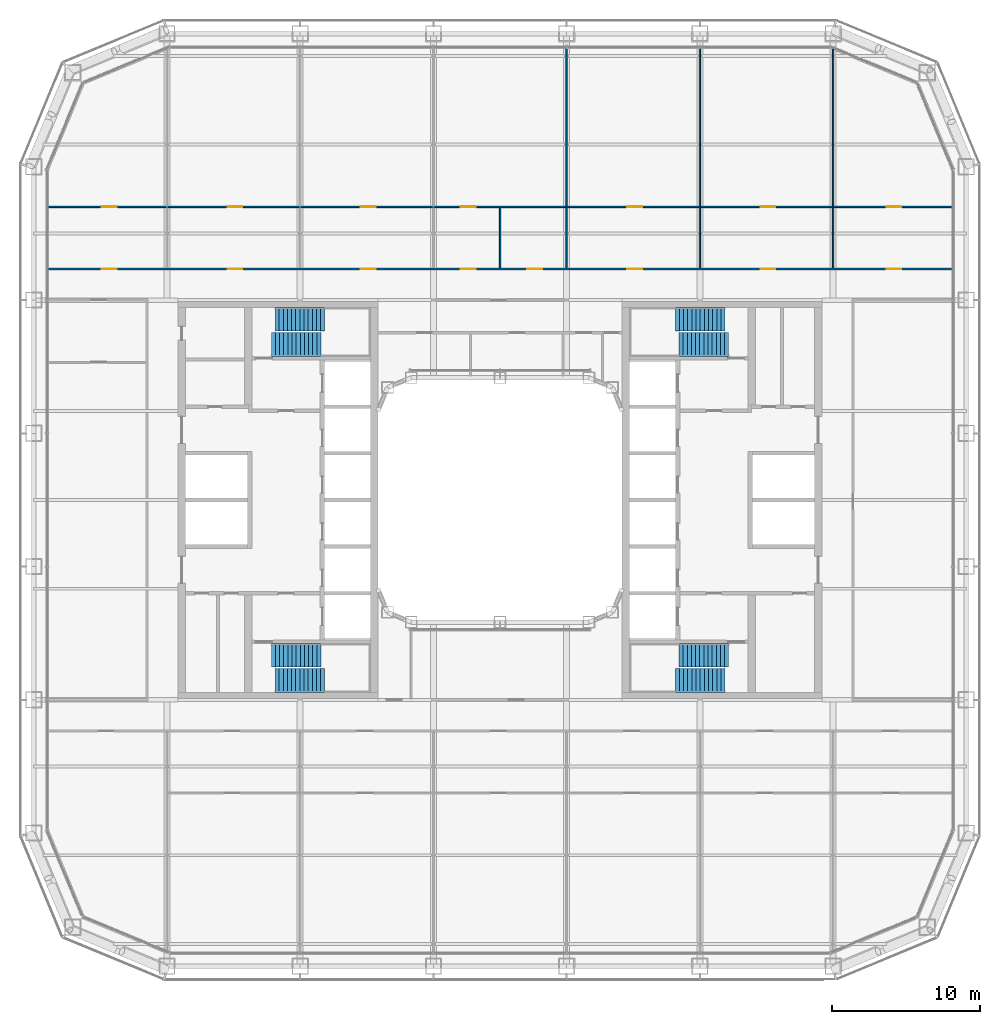
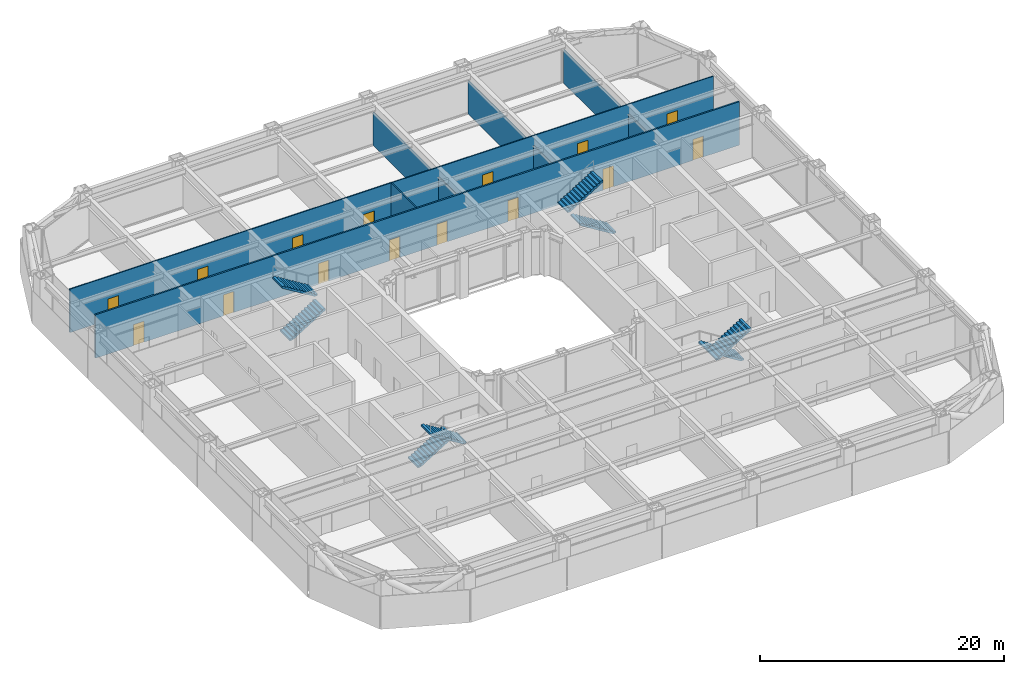
# One storey, part 15 of 24: 15 doors, 9 walls, 8 stair flights, 15 openings, 4 elements without a shape of their own.
"""IFC4 building model written with IfcOpenShell, lengths in metres."""

from ifc_helpers import new_model, si_unit, direction, frame, frame_2d, origin, place, context, subcontext, project, spatial, polyline, rectangle, outline, extrude, material, layer, layer_set, type_object, element, fill, aggregate, save


model = new_model("IFC4")

# Units and contexts
model_context = context("Model", 3, precision=1e-05, world=origin(), true_north=direction((0.0, 1.0)))
body_context = subcontext(model_context, "Body", "Model", "MODEL_VIEW")
ifc_project = project(units=[si_unit("LENGTHUNIT", "METRE"), si_unit("AREAUNIT", "SQUARE_METRE"), si_unit("VOLUMEUNIT", "CUBIC_METRE"), si_unit("PLANEANGLEUNIT", "RADIAN"), si_unit("MASSUNIT", "GRAM", prefix="KILO")], contexts=[model_context])

# Site, building, storey
site_placement = place(None, origin())
site = spatial("IfcSite", under=ifc_project, at=site_placement, CompositionType="ELEMENT")
building_placement = place(site_placement, origin())
building = spatial("IfcBuilding", under=site, at=building_placement, Name="Siwar Civic Tower", CompositionType="ELEMENT")
storey_placement = place(building_placement, frame((0.0, 0.0, 22.199951171875)))
storey = spatial("IfcBuildingStorey", under=building, at=storey_placement, Name="L04", CompositionType="ELEMENT", Elevation=22.199951171875)

# Wall, openings, doors
ifc_material_1 = material(Name="Gypsum board on steel studs", Category="steel")
ifc_layer_1 = layer(ifc_material_1, 0.14990234375)
ifc_layer_set_1 = layer_set([ifc_layer_1], Name="Gypsum board on steel studs")
wall_type_1 = type_object("IfcWallType", Name="CORRIDOR PARTITION 150 EI 30", PredefinedType="PARTITIONING", material=ifc_layer_set_1)
wall_1_placement = place(storey_placement, frame((-30.510009765625, 15.60009765625, 0.0), z_axis=(0.0, 0.0, 1.0), x_axis=(1.0, 0.0, 0.0)))
wall_1 = element("IfcWall", 1, at=wall_1_placement, inside=storey, type_object=wall_type_1, Name="L04/wall/P12", PredefinedType="PARTITIONING", context=body_context, shape_type="SweptSolid", body=[
    extrude(rectangle(XDim=61.02001953125, YDim=0.14990234375, at=frame_2d((30.510009765625, 0.0))), origin(), (0.0, 0.0, 1.0), 4.35009765625),
])
opening_1_placement = place(wall_1_placement, frame((12.110107421875, 0.0, 0.0)))
opening_1 = element("IfcOpeningElement", 2, at=opening_1_placement, cuts=wall_1, Name="Opening D1", PredefinedType="OPENING", context=body_context, shape_type="SweptSolid", body=[
    extrude(rectangle(XDim=1.0, YDim=2.10009765625, at=frame_2d((0.5, 1.050048828125))), frame((0.0, 0.0849609375, 0.0), z_axis=(0.0, -1.0, 0.0), x_axis=(1.0, 0.0, 0.0)), (0.0, 0.0, 1.0), 0.169921875),
])
opening_2_placement = place(wall_1_placement, frame((21.110107421875, 0.0, 0.0)))
opening_2 = element("IfcOpeningElement", 3, at=opening_2_placement, cuts=wall_1, Name="Opening D1", PredefinedType="OPENING", context=body_context, shape_type="SweptSolid", body=[
    extrude(rectangle(XDim=1.0, YDim=2.10009765625, at=frame_2d((0.5, 1.050048828125))), frame((0.0, 0.0849609375, 0.0), z_axis=(0.0, -1.0, 0.0), x_axis=(1.0, 0.0, 0.0)), (0.0, 0.0, 1.0), 0.169921875),
])
opening_3_placement = place(wall_1_placement, frame((27.860107421875, 0.0, 0.0)))
opening_3 = element("IfcOpeningElement", 4, at=opening_3_placement, cuts=wall_1, Name="Opening D1", PredefinedType="OPENING", context=body_context, shape_type="SweptSolid", body=[
    extrude(rectangle(XDim=1.0, YDim=2.10009765625, at=frame_2d((0.5, 1.050048828125))), frame((0.0, 0.0849609375, 0.0), z_axis=(0.0, -1.0, 0.0), x_axis=(1.0, 0.0, 0.0)), (0.0, 0.0, 1.0), 0.169921875),
])
opening_4_placement = place(wall_1_placement, frame((32.360107421875, 0.0, 0.0)))
opening_4 = element("IfcOpeningElement", 5, at=opening_4_placement, cuts=wall_1, Name="Opening D1", PredefinedType="OPENING", context=body_context, shape_type="SweptSolid", body=[
    extrude(rectangle(XDim=1.0, YDim=2.10009765625, at=frame_2d((0.5, 1.050048828125))), frame((0.0, 0.0849609375, 0.0), z_axis=(0.0, -1.0, 0.0), x_axis=(1.0, 0.0, 0.0)), (0.0, 0.0, 1.0), 0.169921875),
])
opening_5_placement = place(wall_1_placement, frame((39.110107421875, 0.0, 0.0)))
opening_5 = element("IfcOpeningElement", 6, at=opening_5_placement, cuts=wall_1, Name="Opening D1", PredefinedType="OPENING", context=body_context, shape_type="SweptSolid", body=[
    extrude(rectangle(XDim=1.0, YDim=2.10009765625, at=frame_2d((0.5, 1.050048828125))), frame((0.0, 0.0849609375, 0.0), z_axis=(0.0, -1.0, 0.0), x_axis=(1.0, 0.0, 0.0)), (0.0, 0.0, 1.0), 0.169921875),
])
opening_6_placement = place(wall_1_placement, frame((48.110107421875, 0.0, 0.0)))
opening_6 = element("IfcOpeningElement", 7, at=opening_6_placement, cuts=wall_1, Name="Opening D1", PredefinedType="OPENING", context=body_context, shape_type="SweptSolid", body=[
    extrude(rectangle(XDim=1.0, YDim=2.10009765625, at=frame_2d((0.5, 1.050048828125))), frame((0.0, 0.0849609375, 0.0), z_axis=(0.0, -1.0, 0.0), x_axis=(1.0, 0.0, 0.0)), (0.0, 0.0, 1.0), 0.169921875),
])
opening_7_placement = place(wall_1_placement, frame((3.610107421875, 0.0, 0.0)))
opening_7 = element("IfcOpeningElement", 8, at=opening_7_placement, cuts=wall_1, Name="Opening D1", PredefinedType="OPENING", context=body_context, shape_type="SweptSolid", body=[
    extrude(rectangle(XDim=1.0, YDim=2.10009765625, at=frame_2d((0.5, 1.050048828125))), frame((0.0, 0.0849609375, 0.0), z_axis=(0.0, -1.0, 0.0), x_axis=(1.0, 0.0, 0.0)), (0.0, 0.0, 1.0), 0.169921875),
])
opening_8_placement = place(wall_1_placement, frame((56.6201171875, 0.0, 0.0)))
opening_8 = element("IfcOpeningElement", 9, at=opening_8_placement, cuts=wall_1, Name="Opening D1", PredefinedType="OPENING", context=body_context, shape_type="SweptSolid", body=[
    extrude(rectangle(XDim=1.0, YDim=2.10009765625, at=frame_2d((0.5, 1.050048828125))), frame((0.0, 0.0849609375, 0.0), z_axis=(0.0, -1.0, 0.0), x_axis=(1.0, 0.0, 0.0)), (0.0, 0.0, 1.0), 0.169921875),
])
ifc_material_2 = material(Name="Timber, painted", Category="wood")
door_type_1 = type_object("IfcDoorType", Name="DOOR 1000 X 2100 FD30", OperationType="SINGLE_SWING_LEFT", PredefinedType="DOOR", material=ifc_material_2)
door_1_placement = place(opening_1_placement, origin())
door_1 = element("IfcDoor", 10, at=door_1_placement, inside=storey, type_object=door_type_1, Name="L04-D01", OperationType="SINGLE_SWING_LEFT", OverallHeight=2.10009765625, OverallWidth=1.0, PredefinedType="DOOR", context=body_context, shape_type="SweptSolid", body=[
    extrude(rectangle(XDim=1.0, YDim=2.10009765625, at=frame_2d((0.5, 1.050048828125))), frame((0.0, 0.02490234375, 0.0), z_axis=(0.0, -1.0, 0.0), x_axis=(1.0, 0.0, 0.0)), (0.0, 0.0, 1.0), 0.050048828125),
])
fill(opening_1, door_1)
door_2_placement = place(opening_2_placement, origin())
door_2 = element("IfcDoor", 11, at=door_2_placement, inside=storey, type_object=door_type_1, Name="L04-D03", OperationType="SINGLE_SWING_LEFT", OverallHeight=2.10009765625, OverallWidth=1.0, PredefinedType="DOOR", context=body_context, shape_type="SweptSolid", body=[
    extrude(rectangle(XDim=1.0, YDim=2.10009765625, at=frame_2d((0.5, 1.050048828125))), frame((0.0, 0.02490234375, 0.0), z_axis=(0.0, -1.0, 0.0), x_axis=(1.0, 0.0, 0.0)), (0.0, 0.0, 1.0), 0.050048828125),
])
fill(opening_2, door_2)
door_3_placement = place(opening_3_placement, origin())
door_3 = element("IfcDoor", 12, at=door_3_placement, inside=storey, type_object=door_type_1, Name="L04-D05", OperationType="SINGLE_SWING_LEFT", OverallHeight=2.10009765625, OverallWidth=1.0, PredefinedType="DOOR", context=body_context, shape_type="SweptSolid", body=[
    extrude(rectangle(XDim=1.0, YDim=2.10009765625, at=frame_2d((0.5, 1.050048828125))), frame((0.0, 0.02490234375, 0.0), z_axis=(0.0, -1.0, 0.0), x_axis=(1.0, 0.0, 0.0)), (0.0, 0.0, 1.0), 0.050048828125),
])
fill(opening_3, door_3)
door_4_placement = place(opening_4_placement, origin())
door_4 = element("IfcDoor", 13, at=door_4_placement, inside=storey, type_object=door_type_1, Name="L04-D06", OperationType="SINGLE_SWING_RIGHT", OverallHeight=2.10009765625, OverallWidth=1.0, PredefinedType="DOOR", context=body_context, shape_type="SweptSolid", body=[
    extrude(rectangle(XDim=1.0, YDim=2.10009765625, at=frame_2d((0.5, 1.050048828125))), frame((0.0, 0.02490234375, 0.0), z_axis=(0.0, -1.0, 0.0), x_axis=(1.0, 0.0, 0.0)), (0.0, 0.0, 1.0), 0.050048828125),
])
fill(opening_4, door_4)
door_5_placement = place(opening_5_placement, origin())
door_5 = element("IfcDoor", 14, at=door_5_placement, inside=storey, type_object=door_type_1, Name="L04-D08", OperationType="SINGLE_SWING_RIGHT", OverallHeight=2.10009765625, OverallWidth=1.0, PredefinedType="DOOR", context=body_context, shape_type="SweptSolid", body=[
    extrude(rectangle(XDim=1.0, YDim=2.10009765625, at=frame_2d((0.5, 1.050048828125))), frame((0.0, 0.02490234375, 0.0), z_axis=(0.0, -1.0, 0.0), x_axis=(1.0, 0.0, 0.0)), (0.0, 0.0, 1.0), 0.050048828125),
])
fill(opening_5, door_5)
door_6_placement = place(opening_6_placement, origin())
door_6 = element("IfcDoor", 15, at=door_6_placement, inside=storey, type_object=door_type_1, Name="L04-D10", OperationType="SINGLE_SWING_RIGHT", OverallHeight=2.10009765625, OverallWidth=1.0, PredefinedType="DOOR", context=body_context, shape_type="SweptSolid", body=[
    extrude(rectangle(XDim=1.0, YDim=2.10009765625, at=frame_2d((0.5, 1.050048828125))), frame((0.0, 0.02490234375, 0.0), z_axis=(0.0, -1.0, 0.0), x_axis=(1.0, 0.0, 0.0)), (0.0, 0.0, 1.0), 0.050048828125),
])
fill(opening_6, door_6)
door_7_placement = place(opening_7_placement, origin())
door_7 = element("IfcDoor", 16, at=door_7_placement, inside=storey, type_object=door_type_1, Name="L04-D22", OperationType="SINGLE_SWING_RIGHT", OverallHeight=2.10009765625, OverallWidth=1.0, PredefinedType="DOOR", context=body_context, shape_type="SweptSolid", body=[
    extrude(rectangle(XDim=1.0, YDim=2.10009765625, at=frame_2d((0.5, 1.050048828125))), frame((0.0, 0.02490234375, 0.0), z_axis=(0.0, -1.0, 0.0), x_axis=(1.0, 0.0, 0.0)), (0.0, 0.0, 1.0), 0.050048828125),
])
fill(opening_7, door_7)
door_8_placement = place(opening_8_placement, origin())
door_8 = element("IfcDoor", 17, at=door_8_placement, inside=storey, type_object=door_type_1, Name="L04-D24", OperationType="SINGLE_SWING_RIGHT", OverallHeight=2.10009765625, OverallWidth=1.0, PredefinedType="DOOR", context=body_context, shape_type="SweptSolid", body=[
    extrude(rectangle(XDim=1.0, YDim=2.10009765625, at=frame_2d((0.5, 1.050048828125))), frame((0.0, 0.02490234375, 0.0), z_axis=(0.0, -1.0, 0.0), x_axis=(1.0, 0.0, 0.0)), (0.0, 0.0, 1.0), 0.050048828125),
])
fill(opening_8, door_8)

ifc_material_3 = material(Name="Gypsum board on steel studs", Category="steel")
ifc_layer_2 = layer(ifc_material_3, 0.10009765625)
ifc_layer_set_2 = layer_set([ifc_layer_2], Name="Gypsum board on steel studs")
wall_type_2 = type_object("IfcWallType", Name="PARTITION 100 GYPSUM", PredefinedType="PARTITIONING", material=ifc_layer_set_2)
wall_2_placement = place(storey_placement, frame((-30.510009765625, 19.800048828125, 0.0), z_axis=(0.0, 0.0, 1.0), x_axis=(1.0, 0.0, 0.0)))
wall_2 = element("IfcWall", 18, at=wall_2_placement, inside=storey, type_object=wall_type_2, Name="L04/wall/P13", PredefinedType="PARTITIONING", context=body_context, shape_type="SweptSolid", body=[
    extrude(rectangle(XDim=61.02001953125, YDim=0.10009765625, at=frame_2d((30.510009765625, 0.0))), origin(), (0.0, 0.0, 1.0), 4.35009765625),
])
opening_9_placement = place(wall_2_placement, frame((12.110107421875, 0.0, 0.0)))
opening_9 = element("IfcOpeningElement", 19, at=opening_9_placement, cuts=wall_2, Name="Opening D2", PredefinedType="OPENING", context=body_context, shape_type="SweptSolid", body=[
    extrude(rectangle(XDim=1.0, YDim=2.10009765625, at=frame_2d((0.5, 1.050048828125))), frame((0.0, 0.06005859375, 0.0), z_axis=(0.0, -1.0, 0.0), x_axis=(1.0, 0.0, 0.0)), (0.0, 0.0, 1.0), 0.1201171875),
])
opening_10_placement = place(wall_2_placement, frame((21.110107421875, 0.0, 0.0)))
opening_10 = element("IfcOpeningElement", 20, at=opening_10_placement, cuts=wall_2, Name="Opening D2", PredefinedType="OPENING", context=body_context, shape_type="SweptSolid", body=[
    extrude(rectangle(XDim=1.0, YDim=2.10009765625, at=frame_2d((0.5, 1.050048828125))), frame((0.0, 0.06005859375, 0.0), z_axis=(0.0, -1.0, 0.0), x_axis=(1.0, 0.0, 0.0)), (0.0, 0.0, 1.0), 0.1201171875),
])
opening_11_placement = place(wall_2_placement, frame((27.860107421875, 0.0, 0.0)))
opening_11 = element("IfcOpeningElement", 21, at=opening_11_placement, cuts=wall_2, Name="Opening D2", PredefinedType="OPENING", context=body_context, shape_type="SweptSolid", body=[
    extrude(rectangle(XDim=1.0, YDim=2.10009765625, at=frame_2d((0.5, 1.050048828125))), frame((0.0, 0.06005859375, 0.0), z_axis=(0.0, -1.0, 0.0), x_axis=(1.0, 0.0, 0.0)), (0.0, 0.0, 1.0), 0.1201171875),
])
opening_12_placement = place(wall_2_placement, frame((39.110107421875, 0.0, 0.0)))
opening_12 = element("IfcOpeningElement", 22, at=opening_12_placement, cuts=wall_2, Name="Opening D2", PredefinedType="OPENING", context=body_context, shape_type="SweptSolid", body=[
    extrude(rectangle(XDim=1.0, YDim=2.10009765625, at=frame_2d((0.5, 1.050048828125))), frame((0.0, 0.06005859375, 0.0), z_axis=(0.0, -1.0, 0.0), x_axis=(1.0, 0.0, 0.0)), (0.0, 0.0, 1.0), 0.1201171875),
])
opening_13_placement = place(wall_2_placement, frame((48.110107421875, 0.0, 0.0)))
opening_13 = element("IfcOpeningElement", 23, at=opening_13_placement, cuts=wall_2, Name="Opening D2", PredefinedType="OPENING", context=body_context, shape_type="SweptSolid", body=[
    extrude(rectangle(XDim=1.0, YDim=2.10009765625, at=frame_2d((0.5, 1.050048828125))), frame((0.0, 0.06005859375, 0.0), z_axis=(0.0, -1.0, 0.0), x_axis=(1.0, 0.0, 0.0)), (0.0, 0.0, 1.0), 0.1201171875),
])
opening_14_placement = place(wall_2_placement, frame((3.610107421875, 0.0, 0.0)))
opening_14 = element("IfcOpeningElement", 24, at=opening_14_placement, cuts=wall_2, Name="Opening D2", PredefinedType="OPENING", context=body_context, shape_type="SweptSolid", body=[
    extrude(rectangle(XDim=1.0, YDim=2.10009765625, at=frame_2d((0.5, 1.050048828125))), frame((0.0, 0.06005859375, 0.0), z_axis=(0.0, -1.0, 0.0), x_axis=(1.0, 0.0, 0.0)), (0.0, 0.0, 1.0), 0.1201171875),
])
opening_15_placement = place(wall_2_placement, frame((56.6201171875, 0.0, 0.0)))
opening_15 = element("IfcOpeningElement", 25, at=opening_15_placement, cuts=wall_2, Name="Opening D2", PredefinedType="OPENING", context=body_context, shape_type="SweptSolid", body=[
    extrude(rectangle(XDim=1.0, YDim=2.10009765625, at=frame_2d((0.5, 1.050048828125))), frame((0.0, 0.06005859375, 0.0), z_axis=(0.0, -1.0, 0.0), x_axis=(1.0, 0.0, 0.0)), (0.0, 0.0, 1.0), 0.1201171875),
])
ifc_material_4 = material(Name="Timber, painted", Category="wood")
door_type_2 = type_object("IfcDoorType", Name="DOOR 1000 X 2100", OperationType="SINGLE_SWING_LEFT", PredefinedType="DOOR", material=ifc_material_4)
door_9_placement = place(opening_9_placement, origin())
door_9 = element("IfcDoor", 26, at=door_9_placement, inside=storey, type_object=door_type_2, Name="L04-D02", OperationType="SINGLE_SWING_RIGHT", OverallHeight=2.10009765625, OverallWidth=1.0, PredefinedType="DOOR", context=body_context, shape_type="SweptSolid", body=[
    extrude(rectangle(XDim=1.0, YDim=2.10009765625, at=frame_2d((0.5, 1.050048828125))), frame((0.0, 0.02490234375, 0.0), z_axis=(0.0, -1.0, 0.0), x_axis=(1.0, 0.0, 0.0)), (0.0, 0.0, 1.0), 0.050048828125),
])
fill(opening_9, door_9)
door_10_placement = place(opening_10_placement, origin())
door_10 = element("IfcDoor", 27, at=door_10_placement, inside=storey, type_object=door_type_2, Name="L04-D04", OperationType="SINGLE_SWING_RIGHT", OverallHeight=2.10009765625, OverallWidth=1.0, PredefinedType="DOOR", context=body_context, shape_type="SweptSolid", body=[
    extrude(rectangle(XDim=1.0, YDim=2.10009765625, at=frame_2d((0.5, 1.050048828125))), frame((0.0, 0.02490234375, 0.0), z_axis=(0.0, -1.0, 0.0), x_axis=(1.0, 0.0, 0.0)), (0.0, 0.0, 1.0), 0.050048828125),
])
fill(opening_10, door_10)
door_11_placement = place(opening_11_placement, origin())
door_11 = element("IfcDoor", 28, at=door_11_placement, inside=storey, type_object=door_type_2, Name="L04-D07", OperationType="SINGLE_SWING_LEFT", OverallHeight=2.10009765625, OverallWidth=1.0, PredefinedType="DOOR", context=body_context, shape_type="SweptSolid", body=[
    extrude(rectangle(XDim=1.0, YDim=2.10009765625, at=frame_2d((0.5, 1.050048828125))), frame((0.0, 0.02490234375, 0.0), z_axis=(0.0, -1.0, 0.0), x_axis=(1.0, 0.0, 0.0)), (0.0, 0.0, 1.0), 0.050048828125),
])
fill(opening_11, door_11)
door_12_placement = place(opening_12_placement, origin())
door_12 = element("IfcDoor", 29, at=door_12_placement, inside=storey, type_object=door_type_2, Name="L04-D09", OperationType="SINGLE_SWING_LEFT", OverallHeight=2.10009765625, OverallWidth=1.0, PredefinedType="DOOR", context=body_context, shape_type="SweptSolid", body=[
    extrude(rectangle(XDim=1.0, YDim=2.10009765625, at=frame_2d((0.5, 1.050048828125))), frame((0.0, 0.02490234375, 0.0), z_axis=(0.0, -1.0, 0.0), x_axis=(1.0, 0.0, 0.0)), (0.0, 0.0, 1.0), 0.050048828125),
])
fill(opening_12, door_12)
door_13_placement = place(opening_13_placement, origin())
door_13 = element("IfcDoor", 30, at=door_13_placement, inside=storey, type_object=door_type_2, Name="L04-D11", OperationType="SINGLE_SWING_LEFT", OverallHeight=2.10009765625, OverallWidth=1.0, PredefinedType="DOOR", context=body_context, shape_type="SweptSolid", body=[
    extrude(rectangle(XDim=1.0, YDim=2.10009765625, at=frame_2d((0.5, 1.050048828125))), frame((0.0, 0.02490234375, 0.0), z_axis=(0.0, -1.0, 0.0), x_axis=(1.0, 0.0, 0.0)), (0.0, 0.0, 1.0), 0.050048828125),
])
fill(opening_13, door_13)
door_14_placement = place(opening_14_placement, origin())
door_14 = element("IfcDoor", 31, at=door_14_placement, inside=storey, type_object=door_type_2, Name="L04-D23", OperationType="SINGLE_SWING_LEFT", OverallHeight=2.10009765625, OverallWidth=1.0, PredefinedType="DOOR", context=body_context, shape_type="SweptSolid", body=[
    extrude(rectangle(XDim=1.0, YDim=2.10009765625, at=frame_2d((0.5, 1.050048828125))), frame((0.0, 0.02490234375, 0.0), z_axis=(0.0, -1.0, 0.0), x_axis=(1.0, 0.0, 0.0)), (0.0, 0.0, 1.0), 0.050048828125),
])
fill(opening_14, door_14)
door_15_placement = place(opening_15_placement, origin())
door_15 = element("IfcDoor", 32, at=door_15_placement, inside=storey, type_object=door_type_2, Name="L04-D25", OperationType="SINGLE_SWING_LEFT", OverallHeight=2.10009765625, OverallWidth=1.0, PredefinedType="DOOR", context=body_context, shape_type="SweptSolid", body=[
    extrude(rectangle(XDim=1.0, YDim=2.10009765625, at=frame_2d((0.5, 1.050048828125))), frame((0.0, 0.02490234375, 0.0), z_axis=(0.0, -1.0, 0.0), x_axis=(1.0, 0.0, 0.0)), (0.0, 0.0, 1.0), 0.050048828125),
])
fill(opening_15, door_15)

# Walls
wall_3_placement = place(storey_placement, frame((0.0, 15.675048828125, 0.0), z_axis=(0.0, 0.0, 1.0), x_axis=(0.0, 1.0, 0.0)))
element("IfcWall", 33, at=wall_3_placement, inside=storey, type_object=wall_type_2, Name="L04/wall/P28", PredefinedType="PARTITIONING", context=body_context, shape_type="SweptSolid", body=[
    extrude(rectangle(XDim=4.074951171875, YDim=0.10009765625, at=frame_2d((2.03759765625, 0.0))), origin(), (0.0, 0.0, 1.0), 4.35009765625),
])
wall_4_placement = place(storey_placement, frame((4.5, 15.675048828125, 0.0), z_axis=(0.0, 0.0, 1.0), x_axis=(0.0, 1.0, 0.0)))
element("IfcWall", 34, at=wall_4_placement, inside=storey, type_object=wall_type_2, Name="L04/wall/P32", PredefinedType="PARTITIONING", context=body_context, shape_type="SweptSolid", body=[
    extrude(rectangle(XDim=4.074951171875, YDim=0.10009765625, at=frame_2d((2.03759765625, 0.0))), origin(), (0.0, 0.0, 1.0), 3.35009765625),
])
wall_5_placement = place(storey_placement, frame((4.5, 19.85009765625, 0.0), z_axis=(0.0, 0.0, 1.0), x_axis=(0.0, 1.0, 0.0)))
element("IfcWall", 35, at=wall_5_placement, inside=storey, type_object=wall_type_2, Name="L04/wall/P33", PredefinedType="PARTITIONING", context=body_context, shape_type="SweptSolid", body=[
    extrude(rectangle(XDim=10.659912109375, YDim=0.10009765625, at=frame_2d((5.330078125, 0.0))), origin(), (0.0, 0.0, 1.0), 3.35009765625),
])
wall_6_placement = place(storey_placement, frame((13.5, 15.675048828125, 0.0), z_axis=(0.0, 0.0, 1.0), x_axis=(0.0, 1.0, 0.0)))
element("IfcWall", 36, at=wall_6_placement, inside=storey, type_object=wall_type_2, Name="L04/wall/P37", PredefinedType="PARTITIONING", context=body_context, shape_type="SweptSolid", body=[
    extrude(rectangle(XDim=4.074951171875, YDim=0.10009765625, at=frame_2d((2.03759765625, 0.0))), origin(), (0.0, 0.0, 1.0), 3.35009765625),
])
wall_7_placement = place(storey_placement, frame((13.5, 19.85009765625, 0.0), z_axis=(0.0, 0.0, 1.0), x_axis=(0.0, 1.0, 0.0)))
element("IfcWall", 37, at=wall_7_placement, inside=storey, type_object=wall_type_2, Name="L04/wall/P38", PredefinedType="PARTITIONING", context=body_context, shape_type="SweptSolid", body=[
    extrude(rectangle(XDim=10.659912109375, YDim=0.10009765625, at=frame_2d((5.330078125, 0.0))), origin(), (0.0, 0.0, 1.0), 3.35009765625),
])
wall_8_placement = place(storey_placement, frame((22.5, 15.675048828125, 0.0), z_axis=(0.0, 0.0, 1.0), x_axis=(0.0, 1.0, 0.0)))
element("IfcWall", 38, at=wall_8_placement, inside=storey, type_object=wall_type_2, Name="L04/wall/P41", PredefinedType="PARTITIONING", context=body_context, shape_type="SweptSolid", body=[
    extrude(rectangle(XDim=4.074951171875, YDim=0.10009765625, at=frame_2d((2.03759765625, 0.0))), origin(), (0.0, 0.0, 1.0), 3.35009765625),
])
wall_9_placement = place(storey_placement, frame((22.5, 19.85009765625, 0.0), z_axis=(0.0, 0.0, 1.0), x_axis=(0.0, 1.0, 0.0)))
element("IfcWall", 39, at=wall_9_placement, inside=storey, type_object=wall_type_2, Name="L04/wall/P42", PredefinedType="PARTITIONING", context=body_context, shape_type="SweptSolid", body=[
    extrude(rectangle(XDim=10.577880859375, YDim=0.10009765625, at=frame_2d((5.2890625, 0.0))), origin(), (0.0, 0.0, 1.0), 3.35009765625),
])

# Stair, stair flights
ifc_material_5 = material(Name="Concrete C40/50", Category="concrete")
stair_type = type_object("IfcStairType", Name="CORE-STAIR", PredefinedType="TWO_STRAIGHT_RUN_STAIR", material=ifc_material_5)
stair_1_placement = place(storey_placement, origin())
stair_1 = element("IfcStair", 40, at=stair_1_placement, inside=storey, type_object=stair_type, Name="Exit stair ST1", PredefinedType="TWO_STRAIGHT_RUN_STAIR")
ifc_material_6 = material(Name="Concrete C40/50", Category="concrete")
stair_flight_type = type_object("IfcStairFlightType", Name="CORE-STAIR-FLIGHT", PredefinedType="STRAIGHT", material=ifc_material_6)
stair_flight_1_placement = place(storey_placement, frame((-15.449951171875, 10.5, 0.0), z_axis=(0.0, 0.0, 1.0), x_axis=(1.0, 0.0, 0.0)))
stair_flight_1 = element("IfcStairFlight", 41, at=stair_flight_1_placement, type_object=stair_flight_type, Name="ST1 flight 1", NumberOfRisers=13, NumberOfTreads=12, PredefinedType="STRAIGHT", RiserHeight=0.173076923, TreadLength=0.28, context=body_context, shape_type="SweptSolid", body=[
    extrude(outline(polyline([(0.0, 0.0), (0.0, 0.173095703125), (0.280029296875, 0.173095703125), (0.280029296875, 0.34619140625), (0.56005859375, 0.34619140625), (0.56005859375, 0.519287109375), (0.840087890625, 0.519287109375), (0.840087890625, 0.6923828125), (1.1201171875, 0.6923828125), (1.1201171875, 0.865478515625), (1.39990234375, 0.865478515625), (1.39990234375, 1.03857421875), (1.679931640625, 1.03857421875), (1.679931640625, 1.21142578125), (1.9599609375, 1.21142578125), (1.9599609375, 1.384521484375), (2.239990234375, 1.384521484375), (2.239990234375, 1.5576171875), (2.52001953125, 1.5576171875), (2.52001953125, 1.730712890625), (2.800048828125, 1.730712890625), (2.800048828125, 1.90380859375), (3.080078125, 1.90380859375), (3.080078125, 2.076904296875), (3.360107421875, 2.076904296875), (3.360107421875, 2.25), (3.360107421875, 1.900634765625), (0.28515625, 0.0), (0.0, 0.0)])), frame((0.0, 0.800048828125, 0.0), z_axis=(0.0, -1.0, 0.0), x_axis=(1.0, 0.0, 0.0)), (0.0, 0.0, 1.0), 1.60009765625),
])
stair_flight_2_placement = place(storey_placement, frame((-11.840087890625, 12.199951171875, 2.25), z_axis=(0.0, 0.0, 1.0), x_axis=(-1.0, 0.0, 0.0)))
stair_flight_2 = element("IfcStairFlight", 42, at=stair_flight_2_placement, type_object=stair_flight_type, Name="ST1 flight 2", NumberOfRisers=13, NumberOfTreads=12, PredefinedType="STRAIGHT", RiserHeight=0.173076923, TreadLength=0.28, context=body_context, shape_type="SweptSolid", body=[
    extrude(outline(polyline([(0.0, 0.0), (0.0, 0.173095703125), (0.280029296875, 0.173095703125), (0.280029296875, 0.34619140625), (0.56005859375, 0.34619140625), (0.56005859375, 0.519287109375), (0.840087890625, 0.519287109375), (0.840087890625, 0.6923828125), (1.1201171875, 0.6923828125), (1.1201171875, 0.865478515625), (1.39990234375, 0.865478515625), (1.39990234375, 1.03857421875), (1.679931640625, 1.03857421875), (1.679931640625, 1.21142578125), (1.9599609375, 1.21142578125), (1.9599609375, 1.384521484375), (2.239990234375, 1.384521484375), (2.239990234375, 1.5576171875), (2.52001953125, 1.5576171875), (2.52001953125, 1.730712890625), (2.800048828125, 1.730712890625), (2.800048828125, 1.90380859375), (3.080078125, 1.90380859375), (3.080078125, 2.076904296875), (3.360107421875, 2.076904296875), (3.360107421875, 2.25), (3.360107421875, 1.900634765625), (0.28515625, 0.0), (0.0, 0.0)])), frame((0.0, 0.800048828125, 0.0), z_axis=(0.0, -1.0, 0.0), x_axis=(1.0, 0.0, 0.0)), (0.0, 0.0, 1.0), 1.60009765625),
])
aggregate(stair_1, [stair_flight_1, stair_flight_2])

stair_2_placement = place(storey_placement, origin())
stair_2 = element("IfcStair", 43, at=stair_2_placement, inside=storey, type_object=stair_type, Name="Exit stair ST2", PredefinedType="TWO_STRAIGHT_RUN_STAIR")
stair_flight_3_placement = place(storey_placement, frame((-15.449951171875, -10.5, 0.0), z_axis=(0.0, 0.0, 1.0), x_axis=(1.0, 0.0, 0.0)))
stair_flight_3 = element("IfcStairFlight", 44, at=stair_flight_3_placement, type_object=stair_flight_type, Name="ST2 flight 1", NumberOfRisers=13, NumberOfTreads=12, PredefinedType="STRAIGHT", RiserHeight=0.173076923, TreadLength=0.28, context=body_context, shape_type="SweptSolid", body=[
    extrude(outline(polyline([(0.0, 0.0), (0.0, 0.173095703125), (0.280029296875, 0.173095703125), (0.280029296875, 0.34619140625), (0.56005859375, 0.34619140625), (0.56005859375, 0.519287109375), (0.840087890625, 0.519287109375), (0.840087890625, 0.6923828125), (1.1201171875, 0.6923828125), (1.1201171875, 0.865478515625), (1.39990234375, 0.865478515625), (1.39990234375, 1.03857421875), (1.679931640625, 1.03857421875), (1.679931640625, 1.21142578125), (1.9599609375, 1.21142578125), (1.9599609375, 1.384521484375), (2.239990234375, 1.384521484375), (2.239990234375, 1.5576171875), (2.52001953125, 1.5576171875), (2.52001953125, 1.730712890625), (2.800048828125, 1.730712890625), (2.800048828125, 1.90380859375), (3.080078125, 1.90380859375), (3.080078125, 2.076904296875), (3.360107421875, 2.076904296875), (3.360107421875, 2.25), (3.360107421875, 1.900634765625), (0.28515625, 0.0), (0.0, 0.0)])), frame((0.0, 0.800048828125, 0.0), z_axis=(0.0, -1.0, 0.0), x_axis=(1.0, 0.0, 0.0)), (0.0, 0.0, 1.0), 1.60009765625),
])
stair_flight_4_placement = place(storey_placement, frame((-11.840087890625, -12.199951171875, 2.25), z_axis=(0.0, 0.0, 1.0), x_axis=(-1.0, 0.0, 0.0)))
stair_flight_4 = element("IfcStairFlight", 45, at=stair_flight_4_placement, type_object=stair_flight_type, Name="ST2 flight 2", NumberOfRisers=13, NumberOfTreads=12, PredefinedType="STRAIGHT", RiserHeight=0.173076923, TreadLength=0.28, context=body_context, shape_type="SweptSolid", body=[
    extrude(outline(polyline([(0.0, 0.0), (0.0, 0.173095703125), (0.280029296875, 0.173095703125), (0.280029296875, 0.34619140625), (0.56005859375, 0.34619140625), (0.56005859375, 0.519287109375), (0.840087890625, 0.519287109375), (0.840087890625, 0.6923828125), (1.1201171875, 0.6923828125), (1.1201171875, 0.865478515625), (1.39990234375, 0.865478515625), (1.39990234375, 1.03857421875), (1.679931640625, 1.03857421875), (1.679931640625, 1.21142578125), (1.9599609375, 1.21142578125), (1.9599609375, 1.384521484375), (2.239990234375, 1.384521484375), (2.239990234375, 1.5576171875), (2.52001953125, 1.5576171875), (2.52001953125, 1.730712890625), (2.800048828125, 1.730712890625), (2.800048828125, 1.90380859375), (3.080078125, 1.90380859375), (3.080078125, 2.076904296875), (3.360107421875, 2.076904296875), (3.360107421875, 2.25), (3.360107421875, 1.900634765625), (0.28515625, 0.0), (0.0, 0.0)])), frame((0.0, 0.800048828125, 0.0), z_axis=(0.0, -1.0, 0.0), x_axis=(1.0, 0.0, 0.0)), (0.0, 0.0, 1.0), 1.60009765625),
])
aggregate(stair_2, [stair_flight_3, stair_flight_4])

stair_3_placement = place(storey_placement, origin())
stair_3 = element("IfcStair", 46, at=stair_3_placement, inside=storey, type_object=stair_type, Name="Exit stair ST3", PredefinedType="TWO_STRAIGHT_RUN_STAIR")
stair_flight_5_placement = place(storey_placement, frame((15.449951171875, 10.5, 0.0), z_axis=(0.0, 0.0, 1.0), x_axis=(-1.0, 0.0, 0.0)))
stair_flight_5 = element("IfcStairFlight", 47, at=stair_flight_5_placement, type_object=stair_flight_type, Name="ST3 flight 1", NumberOfRisers=13, NumberOfTreads=12, PredefinedType="STRAIGHT", RiserHeight=0.173076923, TreadLength=0.28, context=body_context, shape_type="SweptSolid", body=[
    extrude(outline(polyline([(0.0, 0.0), (0.0, 0.173095703125), (0.280029296875, 0.173095703125), (0.280029296875, 0.34619140625), (0.56005859375, 0.34619140625), (0.56005859375, 0.519287109375), (0.840087890625, 0.519287109375), (0.840087890625, 0.6923828125), (1.1201171875, 0.6923828125), (1.1201171875, 0.865478515625), (1.39990234375, 0.865478515625), (1.39990234375, 1.03857421875), (1.679931640625, 1.03857421875), (1.679931640625, 1.21142578125), (1.9599609375, 1.21142578125), (1.9599609375, 1.384521484375), (2.239990234375, 1.384521484375), (2.239990234375, 1.5576171875), (2.52001953125, 1.5576171875), (2.52001953125, 1.730712890625), (2.800048828125, 1.730712890625), (2.800048828125, 1.90380859375), (3.080078125, 1.90380859375), (3.080078125, 2.076904296875), (3.360107421875, 2.076904296875), (3.360107421875, 2.25), (3.360107421875, 1.900634765625), (0.28515625, 0.0), (0.0, 0.0)])), frame((0.0, 0.800048828125, 0.0), z_axis=(0.0, -1.0, 0.0), x_axis=(1.0, 0.0, 0.0)), (0.0, 0.0, 1.0), 1.60009765625),
])
stair_flight_6_placement = place(storey_placement, frame((11.840087890625, 12.199951171875, 2.25), z_axis=(0.0, 0.0, 1.0), x_axis=(1.0, 0.0, 0.0)))
stair_flight_6 = element("IfcStairFlight", 48, at=stair_flight_6_placement, type_object=stair_flight_type, Name="ST3 flight 2", NumberOfRisers=13, NumberOfTreads=12, PredefinedType="STRAIGHT", RiserHeight=0.173076923, TreadLength=0.28, context=body_context, shape_type="SweptSolid", body=[
    extrude(outline(polyline([(0.0, 0.0), (0.0, 0.173095703125), (0.280029296875, 0.173095703125), (0.280029296875, 0.34619140625), (0.56005859375, 0.34619140625), (0.56005859375, 0.519287109375), (0.840087890625, 0.519287109375), (0.840087890625, 0.6923828125), (1.1201171875, 0.6923828125), (1.1201171875, 0.865478515625), (1.39990234375, 0.865478515625), (1.39990234375, 1.03857421875), (1.679931640625, 1.03857421875), (1.679931640625, 1.21142578125), (1.9599609375, 1.21142578125), (1.9599609375, 1.384521484375), (2.239990234375, 1.384521484375), (2.239990234375, 1.5576171875), (2.52001953125, 1.5576171875), (2.52001953125, 1.730712890625), (2.800048828125, 1.730712890625), (2.800048828125, 1.90380859375), (3.080078125, 1.90380859375), (3.080078125, 2.076904296875), (3.360107421875, 2.076904296875), (3.360107421875, 2.25), (3.360107421875, 1.900634765625), (0.28515625, 0.0), (0.0, 0.0)])), frame((0.0, 0.800048828125, 0.0), z_axis=(0.0, -1.0, 0.0), x_axis=(1.0, 0.0, 0.0)), (0.0, 0.0, 1.0), 1.60009765625),
])
aggregate(stair_3, [stair_flight_5, stair_flight_6])

stair_4_placement = place(storey_placement, origin())
stair_4 = element("IfcStair", 49, at=stair_4_placement, inside=storey, type_object=stair_type, Name="Exit stair ST4", PredefinedType="TWO_STRAIGHT_RUN_STAIR")
stair_flight_7_placement = place(storey_placement, frame((15.449951171875, -10.5, 0.0), z_axis=(0.0, 0.0, 1.0), x_axis=(-1.0, 0.0, 0.0)))
stair_flight_7 = element("IfcStairFlight", 50, at=stair_flight_7_placement, type_object=stair_flight_type, Name="ST4 flight 1", NumberOfRisers=13, NumberOfTreads=12, PredefinedType="STRAIGHT", RiserHeight=0.173076923, TreadLength=0.28, context=body_context, shape_type="SweptSolid", body=[
    extrude(outline(polyline([(0.0, 0.0), (0.0, 0.173095703125), (0.280029296875, 0.173095703125), (0.280029296875, 0.34619140625), (0.56005859375, 0.34619140625), (0.56005859375, 0.519287109375), (0.840087890625, 0.519287109375), (0.840087890625, 0.6923828125), (1.1201171875, 0.6923828125), (1.1201171875, 0.865478515625), (1.39990234375, 0.865478515625), (1.39990234375, 1.03857421875), (1.679931640625, 1.03857421875), (1.679931640625, 1.21142578125), (1.9599609375, 1.21142578125), (1.9599609375, 1.384521484375), (2.239990234375, 1.384521484375), (2.239990234375, 1.5576171875), (2.52001953125, 1.5576171875), (2.52001953125, 1.730712890625), (2.800048828125, 1.730712890625), (2.800048828125, 1.90380859375), (3.080078125, 1.90380859375), (3.080078125, 2.076904296875), (3.360107421875, 2.076904296875), (3.360107421875, 2.25), (3.360107421875, 1.900634765625), (0.28515625, 0.0), (0.0, 0.0)])), frame((0.0, 0.800048828125, 0.0), z_axis=(0.0, -1.0, 0.0), x_axis=(1.0, 0.0, 0.0)), (0.0, 0.0, 1.0), 1.60009765625),
])
stair_flight_8_placement = place(storey_placement, frame((11.840087890625, -12.199951171875, 2.25), z_axis=(0.0, 0.0, 1.0), x_axis=(1.0, 0.0, 0.0)))
stair_flight_8 = element("IfcStairFlight", 51, at=stair_flight_8_placement, type_object=stair_flight_type, Name="ST4 flight 2", NumberOfRisers=13, NumberOfTreads=12, PredefinedType="STRAIGHT", RiserHeight=0.173076923, TreadLength=0.28, context=body_context, shape_type="SweptSolid", body=[
    extrude(outline(polyline([(0.0, 0.0), (0.0, 0.173095703125), (0.280029296875, 0.173095703125), (0.280029296875, 0.34619140625), (0.56005859375, 0.34619140625), (0.56005859375, 0.519287109375), (0.840087890625, 0.519287109375), (0.840087890625, 0.6923828125), (1.1201171875, 0.6923828125), (1.1201171875, 0.865478515625), (1.39990234375, 0.865478515625), (1.39990234375, 1.03857421875), (1.679931640625, 1.03857421875), (1.679931640625, 1.21142578125), (1.9599609375, 1.21142578125), (1.9599609375, 1.384521484375), (2.239990234375, 1.384521484375), (2.239990234375, 1.5576171875), (2.52001953125, 1.5576171875), (2.52001953125, 1.730712890625), (2.800048828125, 1.730712890625), (2.800048828125, 1.90380859375), (3.080078125, 1.90380859375), (3.080078125, 2.076904296875), (3.360107421875, 2.076904296875), (3.360107421875, 2.25), (3.360107421875, 1.900634765625), (0.28515625, 0.0), (0.0, 0.0)])), frame((0.0, 0.800048828125, 0.0), z_axis=(0.0, -1.0, 0.0), x_axis=(1.0, 0.0, 0.0)), (0.0, 0.0, 1.0), 1.60009765625),
])
aggregate(stair_4, [stair_flight_7, stair_flight_8])

save(model, "model.ifc")
